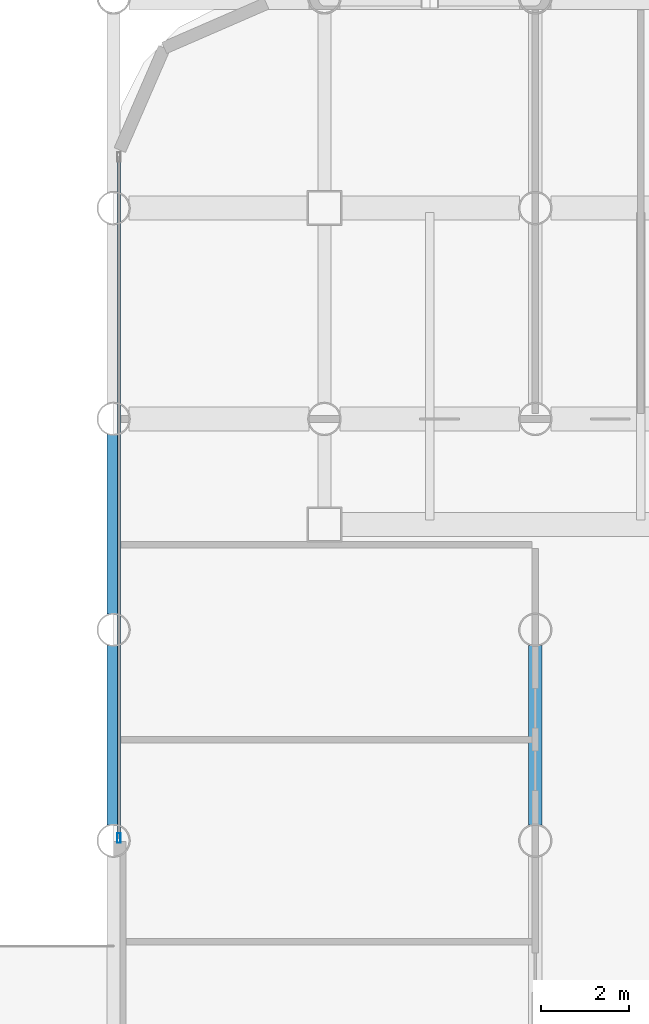
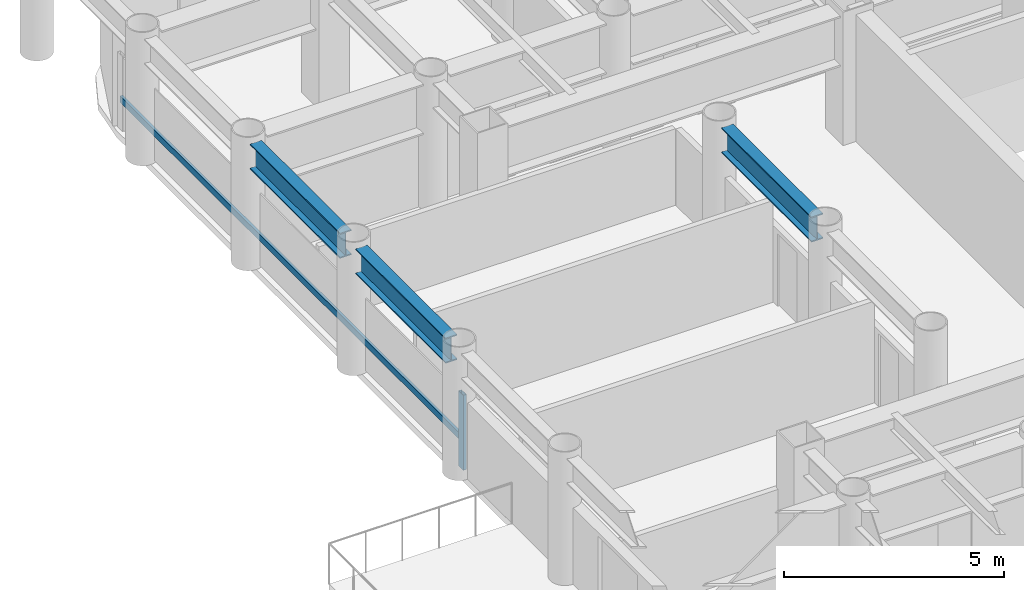
# One storey, part 4 of 22: 3 beams, 2 members, 1 element without a shape of its own.
"""IFC4 building model written with IfcOpenShell, lengths in metres."""

import ifcopenshell
import ifcopenshell.guid

model = None  # the IFC model being written
_history = None  # IfcOwnerHistory: only IFC2X3 demands one
_inside = {}  # id of a spatial element -> (the spatial element, [elements in it])
_under = {}  # id of a project, library or spatial element -> (it, [spatial elements below it])
_declared = {}  # id of a project -> (the project, [libraries it declares])
_typed = {}  # id of a type object -> (the type object, [elements of that type])
_made_of = {}  # id of a material, layer set ... -> (it, [elements and type objects made of it])


def new_model(schema):
    """Start an empty IFC model of exactly this schema.

    Asked for "IFC4X3", IfcOpenShell would pick the latest addendum, in which some entities
    have other attributes; the version numbers below select the first issue.
    IFC2X3 requires an IfcOwnerHistory on every rooted entity: one is made here for all.
    """
    global model, _history
    if schema == "IFC4X3":
        model = ifcopenshell.file(schema_version=(4, 3, 0, 0))
    else:
        model = ifcopenshell.file(schema=schema)
    _inside.clear()
    _under.clear()
    _declared.clear()
    _typed.clear()
    _made_of.clear()
    _history = None
    if model.schema == "IFC2X3":
        org = make("IfcOrganization", Name="unknown")
        user = make(
            "IfcPersonAndOrganization",
            ThePerson=make("IfcPerson", FamilyName="unknown"),
            TheOrganization=org,
        )
        app = make(
            "IfcApplication",
            ApplicationDeveloper=org,
            Version="unknown",
            ApplicationFullName="unknown",
            ApplicationIdentifier="unknown",
        )
        _history = make(
            "IfcOwnerHistory",
            OwningUser=user,
            OwningApplication=app,
            ChangeAction="ADDED",
            CreationDate=0,
        )
    return model


def make(cls, **values):
    """One entity of the class cls with the attributes given. An attribute that is None is left unset."""
    return model.create_entity(
        cls, **{name: value for name, value in values.items() if value is not None}
    )


def rooted(cls, **values):
    """An entity with a GlobalId (a new one), such as an element, a storey or a relation."""
    return make(cls, GlobalId=ifcopenshell.guid.new(), OwnerHistory=_history, **values)


def si_unit(unit_type, name, prefix=None):
    """IfcSIUnit, for example si_unit("LENGTHUNIT", "METRE", prefix="MILLI")."""
    return make("IfcSIUnit", UnitType=unit_type, Prefix=prefix, Name=name)


def assignment(units):
    """IfcUnitAssignment: the units of a project."""
    return None if units is None else make("IfcUnitAssignment", Units=units)


def point(xyz):
    """IfcCartesianPoint."""
    return None if xyz is None else make("IfcCartesianPoint", Coordinates=xyz)


def direction(xyz):
    """IfcDirection."""
    return None if xyz is None else make("IfcDirection", DirectionRatios=xyz)


def frame(location, z_axis=None, x_axis=None):
    """IfcAxis2Placement3D, a coordinate frame: its origin and axes. An axis left out is left unset."""
    return make(
        "IfcAxis2Placement3D",
        Location=point(location),
        Axis=direction(z_axis),
        RefDirection=direction(x_axis),
    )


def frame_2d(location, x_axis=None):
    """IfcAxis2Placement2D, a coordinate frame in the plane: its origin and x axis."""
    return make(
        "IfcAxis2Placement2D", Location=point(location), RefDirection=direction(x_axis)
    )


def origin():
    """The frame at (0, 0, 0) with its axes left unset."""
    return frame((0.0, 0.0, 0.0))


def origin_2d():
    """The frame at (0, 0) in the plane with its x axis left unset."""
    return frame_2d((0.0, 0.0))


def place(relative_to, where):
    """IfcLocalPlacement: puts the frame where relative to a parent placement (None: the world)."""
    return make(
        "IfcLocalPlacement", PlacementRelTo=relative_to, RelativePlacement=where
    )


def context(
    kind, dimensions, precision=None, world=None, true_north=None, identifier=None
):
    """IfcGeometricRepresentationContext, for example the 3D "Model" context."""
    return make(
        "IfcGeometricRepresentationContext",
        ContextIdentifier=identifier,
        ContextType=kind,
        CoordinateSpaceDimension=dimensions,
        Precision=precision,
        WorldCoordinateSystem=world,
        TrueNorth=true_north,
    )


def subcontext(parent, identifier, kind, view, scale=None):
    """IfcGeometricRepresentationSubContext, for example "Body" below "Model"."""
    return make(
        "IfcGeometricRepresentationSubContext",
        ContextIdentifier=identifier,
        ContextType=kind,
        ParentContext=parent,
        TargetScale=scale,
        TargetView=view,
    )


def project(units=None, contexts=None):
    """IfcProject with its units and contexts."""
    return rooted(
        "IfcProject",
        Name="project",
        RepresentationContexts=contexts,
        UnitsInContext=assignment(units),
    )


def spatial(cls, under=None, at=None, **own):
    """A site, building, storey or space (cls), placed at a placement, below another one or the project."""
    s = rooted(cls, ObjectPlacement=at, **own)
    if under is not None:
        _under.setdefault(under.id(), (under, []))[1].append(s)
    return s


def profile(cls, at=None, kind="AREA", **sizes):
    """A parametric profile (cls). Its sizes go by their IFC names, for example OverallWidth=200.0."""
    return make(cls, ProfileType=kind, Position=at, **sizes)


def hollow_rectangle(**sizes):
    """IfcRectangleHollowProfileDef."""
    return profile("IfcRectangleHollowProfileDef", **sizes)


def i_section(**sizes):
    """IfcIShapeProfileDef."""
    return profile("IfcIShapeProfileDef", **sizes)


def extrude(swept, where, along, depth):
    """IfcExtrudedAreaSolid: the profile swept, set in the frame where, extruded along a direction by depth."""
    return make(
        "IfcExtrudedAreaSolid",
        SweptArea=swept,
        Position=where,
        ExtrudedDirection=direction(along),
        Depth=depth,
    )


def shape(context_of_items, identifier, shape_type, items):
    """IfcShapeRepresentation: the items that make up one representation, for example the "Body"."""
    return make(
        "IfcShapeRepresentation",
        ContextOfItems=context_of_items,
        RepresentationIdentifier=identifier,
        RepresentationType=shape_type,
        Items=items,
    )


def material(Name=None, Category=None):
    """IfcMaterial."""
    return make("IfcMaterial", Name=Name, Category=Category)


def layer(
    of_material, thickness, ventilated=None, Name=None, Category=None, Priority=None
):
    """IfcMaterialLayer: one layer of a wall or slab, of a material (None: an air gap)."""
    return make(
        "IfcMaterialLayer",
        Material=of_material,
        LayerThickness=thickness,
        IsVentilated=ventilated,
        Name=Name,
        Category=Category,
        Priority=Priority,
    )


def layer_set(layers, Name=None):
    """IfcMaterialLayerSet."""
    return make("IfcMaterialLayerSet", MaterialLayers=layers, LayerSetName=Name)


def material_profile(
    of_material, cross_section, Name=None, Category=None, Priority=None
):
    """IfcMaterialProfile: a cross section and its material."""
    return make(
        "IfcMaterialProfile",
        Name=Name,
        Material=of_material,
        Profile=cross_section,
        Priority=Priority,
        Category=Category,
    )


def profile_set(profiles, Name=None, composite=None):
    """IfcMaterialProfileSet."""
    return make(
        "IfcMaterialProfileSet",
        Name=Name,
        MaterialProfiles=profiles,
        CompositeProfile=composite,
    )


def made_of(thing, what):
    """Note that an element or type object is made of a material, layer set ...; save() writes the relation."""
    if what is not None:
        _made_of.setdefault(what.id(), (what, []))[1].append(thing)
    return thing


def type_object(cls, material=None, **own):
    """A type object (cls), such as IfcWallType, which elements share."""
    return made_of(rooted(cls, **own), material)


def element(
    cls,
    number,
    at=None,
    inside=None,
    cuts=None,
    type_object=None,
    material=None,
    context=None,
    identifier="Body",
    shape_type=None,
    held_by="IfcProductDefinitionShape",
    body=None,
    shapes=None,
    **own,
):
    """One element of the class cls, such as IfcWall. Its Tag is "e" and its number.

    at: its placement. inside: the storey or other place that contains it. cuts: it is an
    opening in that element (IfcRelVoidsElement). A single representation is given by context,
    identifier, shape_type and body (its items); several are given by shapes. held_by: the class
    of the entity that holds the representations. save() writes the other relations.
    """
    e = rooted(cls, Tag="e%d" % number, ObjectPlacement=at, **own)
    if body is not None:
        shapes = [shape(context, identifier, shape_type, body)]
    if shapes is not None:
        e.Representation = make(held_by, Representations=shapes)
    if inside is not None:
        _inside.setdefault(inside.id(), (inside, []))[1].append(e)
    if cuts is not None:
        rooted(
            "IfcRelVoidsElement", RelatingBuildingElement=cuts, RelatedOpeningElement=e
        )
    if type_object is not None:
        _typed.setdefault(type_object.id(), (type_object, []))[1].append(e)
    return made_of(e, material)


def aggregate(whole, parts):
    """IfcRelAggregates: a whole, such as a stair, and the parts it consists of."""
    return rooted("IfcRelAggregates", RelatingObject=whole, RelatedObjects=parts)


def save(model, path):
    """Write the relations noted so far, then the file.

    IfcRelAggregates (storeys below a building ...), IfcRelContainedInSpatialStructure (elements
    in a storey), IfcRelDefinesByType, IfcRelAssociatesMaterial and IfcRelDeclares: one each for
    every whole, place, type object, material and project.
    """
    for whole, parts in _under.values():
        aggregate(whole, parts)
    for where, things in _inside.values():
        rooted(
            "IfcRelContainedInSpatialStructure",
            RelatedElements=things,
            RelatingStructure=where,
        )
    for kind, things in _typed.values():
        rooted("IfcRelDefinesByType", RelatedObjects=things, RelatingType=kind)
    for what, things in _made_of.values():
        rooted("IfcRelAssociatesMaterial", RelatedObjects=things, RelatingMaterial=what)
    for by, libraries in _declared.values():
        rooted("IfcRelDeclares", RelatingContext=by, RelatedDefinitions=libraries)
    model.write(path)


model = new_model("IFC4")

# Units and contexts
model_context = context("Model", 3, precision=1e-05, world=origin(), true_north=direction((0.0, 1.0)))
body_context = subcontext(model_context, "Body", "Model", "MODEL_VIEW")
ifc_project = project(units=[si_unit("LENGTHUNIT", "METRE"), si_unit("AREAUNIT", "SQUARE_METRE"), si_unit("VOLUMEUNIT", "CUBIC_METRE"), si_unit("PLANEANGLEUNIT", "RADIAN"), si_unit("MASSUNIT", "GRAM", prefix="KILO")], contexts=[model_context])

# Site, building, storey
site_placement = place(None, origin())
site = spatial("IfcSite", under=ifc_project, at=site_placement, CompositionType="ELEMENT")
building_placement = place(site_placement, origin())
building = spatial("IfcBuilding", under=site, at=building_placement, Name="Kallvorn Hotel Tower", CompositionType="ELEMENT")
storey_placement = place(building_placement, frame((0.0, 0.0, 59.60009765625)))
storey = spatial("IfcBuildingStorey", under=building, at=storey_placement, Name="L13", CompositionType="ELEMENT", Elevation=59.60009765625)

# Beams
ifc_material_1 = material(Name="Structural steel S355JR", Category="steel")
ifc_material_profile_1 = material_profile(ifc_material_1, i_section(OverallWidth=0.300048828125, OverallDepth=0.699951171875, WebThickness=0.01708984375, FlangeThickness=0.031982421875, at=origin_2d()), Name="HE 700 B")
ifc_profile_set_1 = profile_set([ifc_material_profile_1], Name="Structural steel S355JR")
beam_type = type_object("IfcBeamType", Name="BM_HE700B", PredefinedType="BEAM", material=ifc_profile_set_1)
beam_1_placement = place(storey_placement, frame((-28.800048828125, 0.35595703125, 3.169921875), z_axis=(0.0, 1.0, 0.0), x_axis=(-1.0, 0.0, 0.0)))
element("IfcBeam", 1, at=beam_1_placement, inside=storey, type_object=beam_type, Name="L14 Primary Y-Girder 77", PredefinedType="BEAM", context=body_context, shape_type="SweptSolid", body=[
    extrude(i_section(OverallWidth=0.300048828125, OverallDepth=0.699951171875, WebThickness=0.01708984375, FlangeThickness=0.031982421875, at=origin_2d()), origin(), (0.0, 0.0, 1.0), 4.088134765625),
])
beam_2_placement = place(storey_placement, frame((-28.800048828125, 5.156005859375, 3.169921875), z_axis=(0.0, 1.0, 0.0), x_axis=(-1.0, 0.0, 0.0)))
element("IfcBeam", 2, at=beam_2_placement, inside=storey, type_object=beam_type, Name="L14 Primary Y-Girder 78", PredefinedType="BEAM", context=body_context, shape_type="SweptSolid", body=[
    extrude(i_section(OverallWidth=0.300048828125, OverallDepth=0.699951171875, WebThickness=0.01708984375, FlangeThickness=0.031982421875, at=origin_2d()), origin(), (0.0, 0.0, 1.0), 4.087890625),
])
beam_3_placement = place(storey_placement, frame((-19.199951171875, 0.35595703125, 3.169921875), z_axis=(0.0, 1.0, 0.0), x_axis=(-1.0, 0.0, 0.0)))
element("IfcBeam", 3, at=beam_3_placement, inside=storey, type_object=beam_type, Name="L14 Primary Y-Girder 93", PredefinedType="BEAM", context=body_context, shape_type="SweptSolid", body=[
    extrude(i_section(OverallWidth=0.300048828125, OverallDepth=0.699951171875, WebThickness=0.01708984375, FlangeThickness=0.031982421875, at=origin_2d()), origin(), (0.0, 0.0, 1.0), 4.088134765625),
])

# Curtain wall, members
ifc_material_2 = material(Name="Thermally broken black-anodised aluminium AA 6063-T6", Category="aluminium")
ifc_layer = layer(ifc_material_2, 0.199951171875)
ifc_layer_set = layer_set([ifc_layer], Name="CW_SYS_3_HOTEL_LOW")
curtain_wall_type = type_object("IfcCurtainWallType", Name="CW_SYS_3_HOTEL_LOW", PredefinedType="USERDEFINED", material=ifc_layer_set)
curtain_wall_placement = place(storey_placement, origin())
curtain_wall = element("IfcCurtainWall", 4, at=curtain_wall_placement, inside=storey, type_object=curtain_wall_type, Name="L13 Dark-Glass Curtain Wall CW-L13-WN", ObjectType="UNITISED CURTAIN WALL", PredefinedType="USERDEFINED")
ifc_material_3 = material(Name="Thermally broken black-anodised aluminium AA 6063-T6", Category="aluminium")
ifc_material_profile_2 = material_profile(ifc_material_3, hollow_rectangle(XDim=0.080078125, YDim=0.219970703125, WallThickness=0.0048828125, at=origin_2d()), Name="MUL 220x80")
ifc_profile_set_2 = profile_set([ifc_material_profile_2], Name="Thermally broken black-anodised aluminium AA 6063-T6")
member_type_1 = type_object("IfcMemberType", Name="CW_MULLION_220x80", PredefinedType="MULLION", material=ifc_profile_set_2)
member_1_placement = place(storey_placement, frame((-28.679931640625, 0.06005859375, 0.02001953125), z_axis=(0.0, 0.0, 1.0), x_axis=(1.0, 0.0, 0.0)))
member_1 = element("IfcMember", 5, at=member_1_placement, type_object=member_type_1, Name="CW-L13-WN Mullion 00", PredefinedType="MULLION", context=body_context, shape_type="SweptSolid", body=[
    extrude(hollow_rectangle(XDim=0.080078125, YDim=0.219970703125, WallThickness=0.0048828125, at=origin_2d()), origin(), (0.0, 0.0, 1.0), 2.079833984375),
])
ifc_material_4 = material(Name="Thermally broken black-anodised aluminium AA 6063-T6", Category="aluminium")
ifc_material_profile_3 = material_profile(ifc_material_4, hollow_rectangle(XDim=0.070068359375, YDim=0.179931640625, WallThickness=0.00390625, at=origin_2d()), Name="TRN 180x70")
ifc_profile_set_3 = profile_set([ifc_material_profile_3], Name="Thermally broken black-anodised aluminium AA 6063-T6")
member_type_2 = type_object("IfcMemberType", Name="CW_TRANSOM_180x70", PredefinedType="USERDEFINED", material=ifc_profile_set_3)
member_2_placement = place(storey_placement, frame((-28.679931640625, 0.06005859375, 0.849853515625), z_axis=(0.0, 1.0, 0.0), x_axis=(-1.0, 0.0, 0.0)))
member_2 = element("IfcMember", 6, at=member_2_placement, type_object=member_type_2, Name="CW-L13-WN Transom 00M", ObjectType="TRANSOM", PredefinedType="USERDEFINED", context=body_context, shape_type="SweptSolid", body=[
    extrude(hollow_rectangle(XDim=0.070068359375, YDim=0.179931640625, WallThickness=0.00390625, at=origin_2d()), origin(), (0.0, 0.0, 1.0), 15.5),
])
aggregate(curtain_wall, [member_1, member_2])

save(model, "model.ifc")
